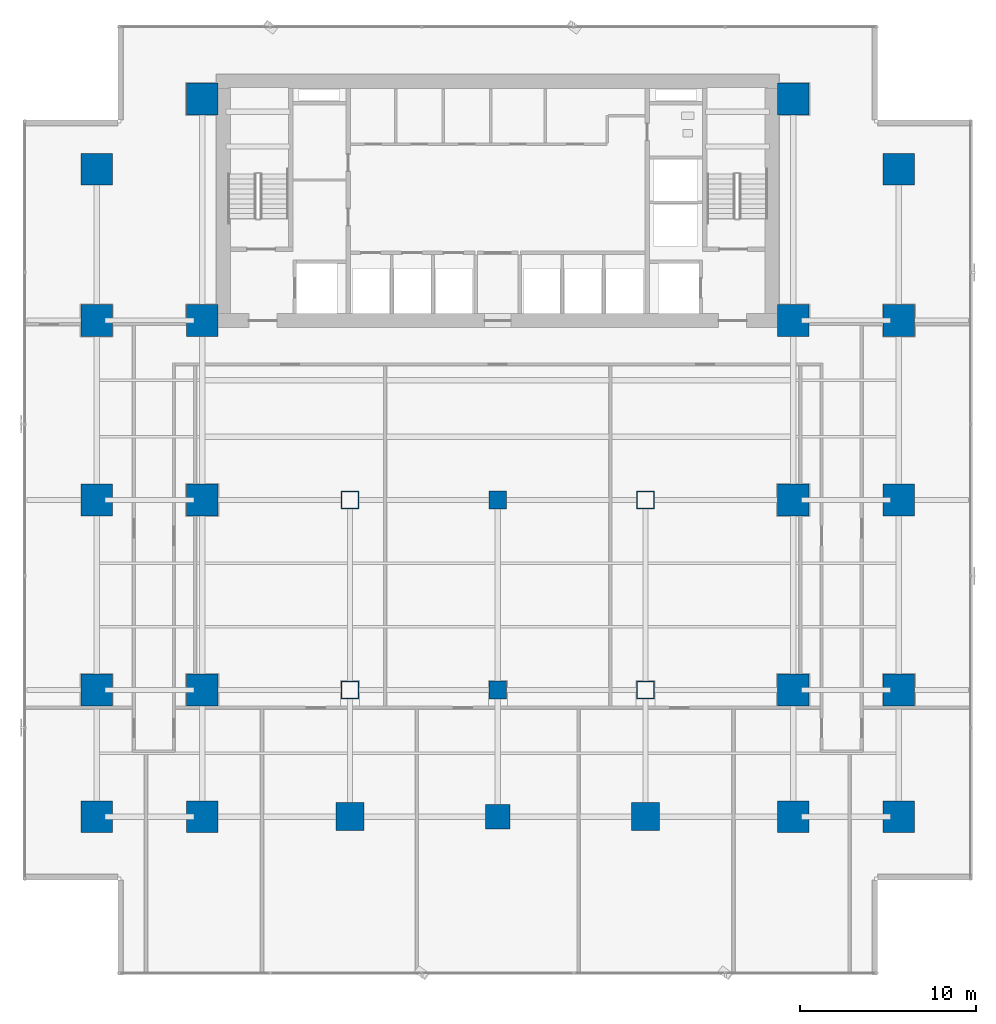
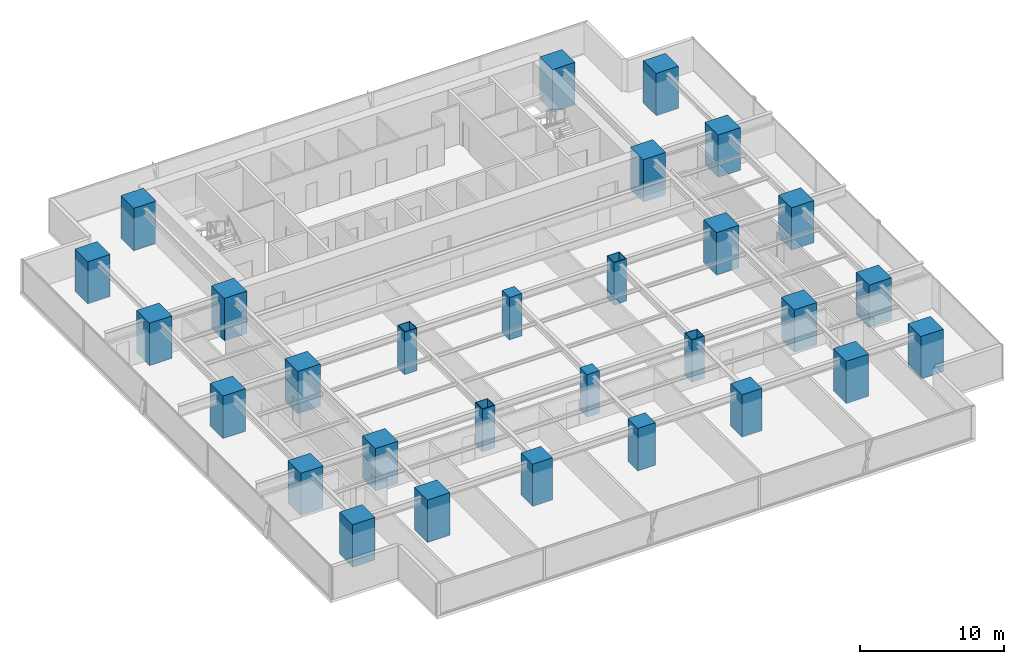
# One storey, part 1 of 34: 29 columns.
"""IFC4 building model written with IfcOpenShell, lengths in metres."""

from ifc_helpers import new_model, si_unit, direction, frame, origin, origin_2d, place, context, subcontext, project, spatial, rectangle, hollow_rectangle, extrude, source, transform, mapped, material, material_profile, profile_set, type_object, element, save


model = new_model("IFC4")

# Units and contexts
model_context = context("Model", 3, precision=1e-05, world=origin(), true_north=direction((0.0, 1.0)))
body_context = subcontext(model_context, "Body", "Model", "MODEL_VIEW")
ifc_project = project(units=[si_unit("LENGTHUNIT", "METRE"), si_unit("AREAUNIT", "SQUARE_METRE"), si_unit("VOLUMEUNIT", "CUBIC_METRE"), si_unit("PLANEANGLEUNIT", "RADIAN"), si_unit("MASSUNIT", "GRAM", prefix="KILO")], contexts=[model_context])

# Site, building, storey
site_placement = place(None, origin())
site = spatial("IfcSite", under=ifc_project, at=site_placement, CompositionType="ELEMENT")
building_placement = place(site_placement, origin())
building = spatial("IfcBuilding", under=site, at=building_placement, Name="Sumidabori Civic Tower", CompositionType="ELEMENT")
storey_placement = place(building_placement, frame((0.0, 0.0, 56.0)))
storey = spatial("IfcBuildingStorey", under=building, at=storey_placement, Name="L14", CompositionType="ELEMENT", Elevation=56.0)

# Columns
ifc_material_1 = material(Name="Concrete C60/75", Category="concrete")
ifc_material_profile_1 = material_profile(ifc_material_1, rectangle(XDim=1.800048828125, YDim=1.800048828125, at=origin_2d()), Name="RC 1800x1800")
ifc_profile_set_1 = profile_set([ifc_material_profile_1], Name="Concrete C60/75")
column_type_1 = type_object("IfcColumnType", Name="CL-MEGA-1800", PredefinedType="COLUMN", material=ifc_profile_set_1)
shared_shape_1 = source(origin(), body_context, "Body", "SweptSolid", [
    extrude(rectangle(XDim=1.800048828125, YDim=1.800048828125, at=origin_2d()), origin(), (0.0, 0.0, 1.0), 3.60009765625),
])
for number, where, z_axis, x_axis, name in (
    (1, (-16.800048828125, -18.0, 0.0), (0.0, 0.0, 1.0), (1.0, 0.0, 0.0), "Column MC-W16-Y18S L14"),
    (2, (-16.800048828125, -10.800048828125, 0.0), (0.0, 0.0, 1.0), (1.0, 0.0, 0.0), "Column MC-W16-Y11S L14"),
    (3, (-16.800048828125, 0.0, 0.0), (0.0, 0.0, 1.0), (1.0, 0.0, 0.0), "Column MC-W16-Y00 L14"),
    (4, (-16.800048828125, 10.199951171875, 0.0), (0.0, 0.0, 1.0), (1.0, 0.0, 0.0), "Column MC-W16-Y10N L14"),
    (5, (-16.800048828125, 22.800048828125, 0.0), (0.0, 0.0, 1.0), (1.0, 0.0, 0.0), "Column MC-W16-Y23N L14"),
    (6, (16.800048828125, -18.0, 0.0), (0.0, 0.0, 1.0), (1.0, 0.0, 0.0), "Column MC-E16-Y18S L14"),
    (7, (16.800048828125, -10.800048828125, 0.0), (0.0, 0.0, 1.0), (1.0, 0.0, 0.0), "Column MC-E16-Y11S L14"),
    (8, (16.800048828125, 0.0, 0.0), (0.0, 0.0, 1.0), (1.0, 0.0, 0.0), "Column MC-E16-Y00 L14"),
    (9, (16.800048828125, 10.199951171875, 0.0), (0.0, 0.0, 1.0), (1.0, 0.0, 0.0), "Column MC-E16-Y10N L14"),
    (10, (16.800048828125, 22.800048828125, 0.0), (0.0, 0.0, 1.0), (1.0, 0.0, 0.0), "Column MC-E16-Y23N L14"),
    (11, (-22.800048828125, -18.0, 0.0), (0.0, 0.0, 1.0), (1.0, 0.0, 0.0), "Column MC-W23-Y18S L14"),
    (12, (-22.800048828125, -10.800048828125, 0.0), (0.0, 0.0, 1.0), (1.0, 0.0, 0.0), "Column MC-W23-Y11S L14"),
    (13, (-22.800048828125, 0.0, 0.0), (0.0, 0.0, 1.0), (1.0, 0.0, 0.0), "Column MC-W23-Y00 L14"),
    (14, (-22.800048828125, 10.199951171875, 0.0), (0.0, 0.0, 1.0), (1.0, 0.0, 0.0), "Column MC-W23-Y10N L14"),
    (15, (-22.800048828125, 18.800048828125, 0.0), (0.0, 0.0, 1.0), (1.0, 0.0, 0.0), "Column MC-W23-Y19N L14"),
    (16, (22.800048828125, -18.0, 0.0), (0.0, 0.0, 1.0), (1.0, 0.0, 0.0), "Column MC-E23-Y18S L14"),
    (17, (22.800048828125, -10.800048828125, 0.0), (0.0, 0.0, 1.0), (1.0, 0.0, 0.0), "Column MC-E23-Y11S L14"),
    (18, (22.800048828125, 0.0, 0.0), (0.0, 0.0, 1.0), (1.0, 0.0, 0.0), "Column MC-E23-Y00 L14"),
    (19, (22.800048828125, 10.199951171875, 0.0), (0.0, 0.0, 1.0), (1.0, 0.0, 0.0), "Column MC-E23-Y10N L14"),
    (20, (22.800048828125, 18.800048828125, 0.0), (0.0, 0.0, 1.0), (1.0, 0.0, 0.0), "Column MC-E23-Y19N L14"),
):
    element("IfcColumn", number, at=place(storey_placement, frame(where, z_axis=z_axis, x_axis=x_axis)), inside=storey, type_object=column_type_1, Name=name, PredefinedType="COLUMN", context=body_context, shape_type="MappedRepresentation", body=[
        mapped(shared_shape_1, transform((0.0, 0.0, 0.0), x_axis=(1.0, 0.0, 0.0), y_axis=(0.0, 1.0, 0.0), z_axis=(0.0, 0.0, 1.0), scale=1.0)),
    ])
ifc_material_profile_2 = material_profile(ifc_material_1, rectangle(XDim=1.60009765625, YDim=1.60009765625, at=origin_2d()), Name="RC 1600x1600")
ifc_profile_set_2 = profile_set([ifc_material_profile_2], Name="Concrete C60/75")
column_type_2 = type_object("IfcColumnType", Name="CL-MEGA-1600", PredefinedType="COLUMN", material=ifc_profile_set_2)
shared_shape_2 = source(origin(), body_context, "Body", "SweptSolid", [
    extrude(rectangle(XDim=1.60009765625, YDim=1.60009765625, at=origin_2d()), origin(), (0.0, 0.0, 1.0), 3.60009765625),
])
for number, where, z_axis, x_axis, name in (
    (21, (-8.39990234375, -18.0, 0.0), (0.0, 0.0, 1.0), (1.0, 0.0, 0.0), "Column MC-W08-Y18S L14"),
    (22, (8.39990234375, -18.0, 0.0), (0.0, 0.0, 1.0), (1.0, 0.0, 0.0), "Column MC-E08-Y18S L14"),
):
    element("IfcColumn", number, at=place(storey_placement, frame(where, z_axis=z_axis, x_axis=x_axis)), inside=storey, type_object=column_type_2, Name=name, PredefinedType="COLUMN", context=body_context, shape_type="MappedRepresentation", body=[
        mapped(shared_shape_2, transform((0.0, 0.0, 0.0), x_axis=(1.0, 0.0, 0.0), y_axis=(0.0, 1.0, 0.0), z_axis=(0.0, 0.0, 1.0), scale=1.0)),
    ])
ifc_material_2 = material(Name="Steel SM570", Category="steel")
ifc_material_profile_3 = material_profile(ifc_material_2, hollow_rectangle(XDim=1.0, YDim=1.0, WallThickness=0.044921875, at=origin_2d()), Name="SHS 1000x1000x45")
ifc_profile_set_3 = profile_set([ifc_material_profile_3], Name="Steel SM570")
column_type_3 = type_object("IfcColumnType", Name="CL-PORTAL-SHS1000", PredefinedType="COLUMN", material=ifc_profile_set_3)
shared_shape_3 = source(origin(), body_context, "Body", "SweptSolid", [
    extrude(hollow_rectangle(XDim=1.0, YDim=1.0, WallThickness=0.044921875, at=origin_2d()), origin(), (0.0, 0.0, 1.0), 3.60009765625),
])
for number, where, z_axis, x_axis, name in (
    (23, (-8.39990234375, 0.0, 0.0), (0.0, 0.0, 1.0), (1.0, 0.0, 0.0), "Column MC-W08-Y00 L14"),
    (24, (-8.39990234375, -10.800048828125, 0.0), (0.0, 0.0, 1.0), (1.0, 0.0, 0.0), "Column MC-W08-Y11S L14"),
    (25, (8.39990234375, 0.0, 0.0), (0.0, 0.0, 1.0), (1.0, 0.0, 0.0), "Column MC-E08-Y00 L14"),
    (26, (8.39990234375, -10.800048828125, 0.0), (0.0, 0.0, 1.0), (1.0, 0.0, 0.0), "Column MC-E08-Y11S L14"),
):
    element("IfcColumn", number, at=place(storey_placement, frame(where, z_axis=z_axis, x_axis=x_axis)), inside=storey, type_object=column_type_3, Name=name, PredefinedType="COLUMN", context=body_context, shape_type="MappedRepresentation", body=[
        mapped(shared_shape_3, transform((0.0, 0.0, 0.0), x_axis=(1.0, 0.0, 0.0), y_axis=(0.0, 1.0, 0.0), z_axis=(0.0, 0.0, 1.0), scale=1.0)),
    ])
ifc_material_profile_4 = material_profile(ifc_material_1, rectangle(XDim=1.39990234375, YDim=1.39990234375, at=origin_2d()), Name="RC 1400x1400")
ifc_profile_set_4 = profile_set([ifc_material_profile_4], Name="Concrete C60/75")
column_type_4 = type_object("IfcColumnType", Name="CL-MEGA-1400", PredefinedType="COLUMN", material=ifc_profile_set_4)
shared_shape_4 = source(origin(), body_context, "Body", "SweptSolid", [
    extrude(rectangle(XDim=1.39990234375, YDim=1.39990234375, at=origin_2d()), origin(), (0.0, 0.0, 1.0), 3.60009765625),
])
column_placement = place(storey_placement, frame((0.0, -18.0, 0.0), z_axis=(0.0, 0.0, 1.0), x_axis=(1.0, 0.0, 0.0)))
element("IfcColumn", 27, at=column_placement, inside=storey, type_object=column_type_4, Name="Column MC-C00-Y18S L14", PredefinedType="COLUMN", context=body_context, shape_type="MappedRepresentation", body=[
    mapped(shared_shape_4, transform((0.0, 0.0, 0.0), x_axis=(1.0, 0.0, 0.0), y_axis=(0.0, 1.0, 0.0), z_axis=(0.0, 0.0, 1.0), scale=1.0)),
])
ifc_material_3 = material(Name="Concrete C50/60", Category="concrete")
ifc_material_profile_5 = material_profile(ifc_material_3, rectangle(XDim=1.0, YDim=1.0, at=origin_2d()), Name="RC 1000x1000")
ifc_profile_set_5 = profile_set([ifc_material_profile_5], Name="Concrete C50/60")
column_type_5 = type_object("IfcColumnType", Name="CL-INT-1000", PredefinedType="COLUMN", material=ifc_profile_set_5)
shared_shape_5 = source(origin(), body_context, "Body", "SweptSolid", [
    extrude(rectangle(XDim=1.0, YDim=1.0, at=origin_2d()), origin(), (0.0, 0.0, 1.0), 3.60009765625),
])
for number, where, z_axis, x_axis, name in (
    (28, (0.0, -10.800048828125, 0.0), (0.0, 0.0, 1.0), (1.0, 0.0, 0.0), "Column MC-C00-Y11S L14"),
    (29, (0.0, 0.0, 0.0), (0.0, 0.0, 1.0), (1.0, 0.0, 0.0), "Column MC-C00-Y00 L14"),
):
    element("IfcColumn", number, at=place(storey_placement, frame(where, z_axis=z_axis, x_axis=x_axis)), inside=storey, type_object=column_type_5, Name=name, PredefinedType="COLUMN", context=body_context, shape_type="MappedRepresentation", body=[
        mapped(shared_shape_5, transform((0.0, 0.0, 0.0), x_axis=(1.0, 0.0, 0.0), y_axis=(0.0, 1.0, 0.0), z_axis=(0.0, 0.0, 1.0), scale=1.0)),
    ])

save(model, "model.ifc")
